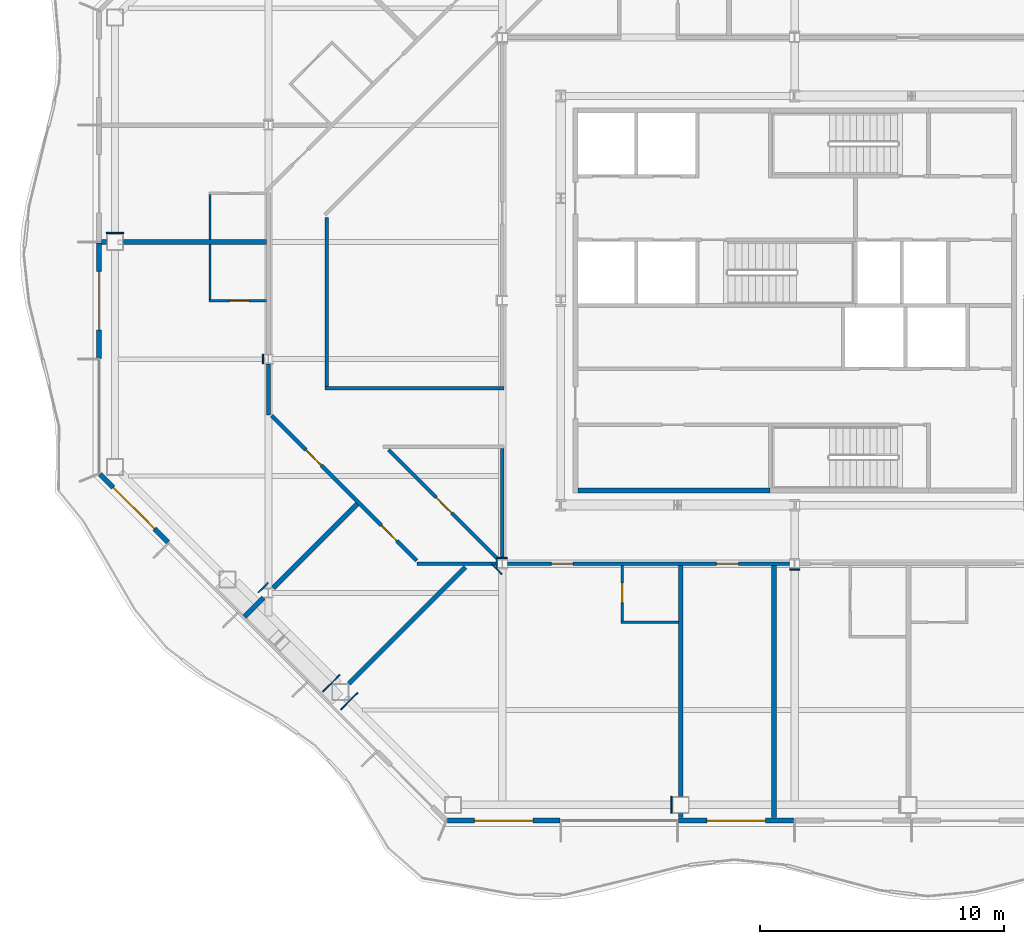
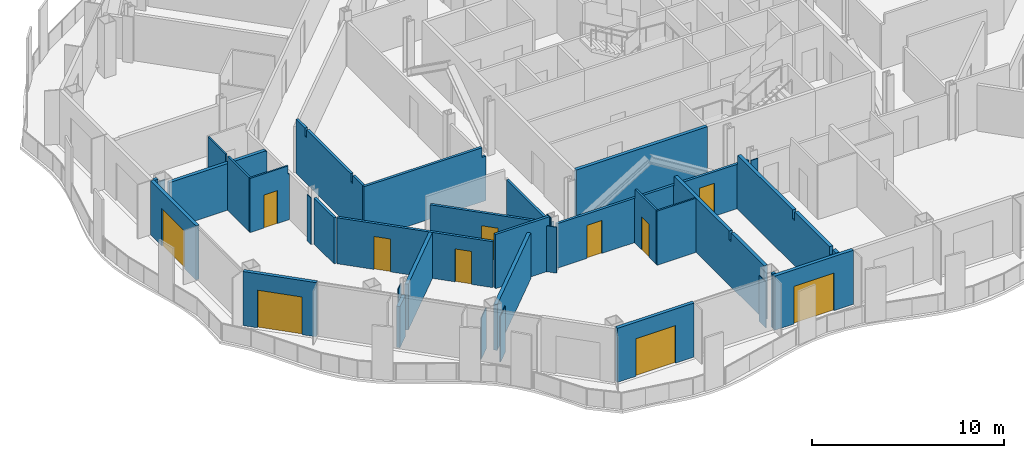
# One storey, part 7 of 21: 36 walls, 11 doors, 11 openings.
"""IFC4 building model written with IfcOpenShell, lengths in metres."""

from ifc_helpers import new_model, si_unit, direction, frame, frame_2d, origin, place, context, subcontext, project, spatial, polyline, rectangle, outline, extrude, material, layer, layer_set, type_object, element, fill, save


model = new_model("IFC4")

# Units and contexts
model_context = context("Model", 3, precision=1e-05, world=origin(), true_north=direction((0.0, 1.0)))
body_context = subcontext(model_context, "Body", "Model", "MODEL_VIEW")
ifc_project = project(units=[si_unit("LENGTHUNIT", "METRE"), si_unit("AREAUNIT", "SQUARE_METRE"), si_unit("VOLUMEUNIT", "CUBIC_METRE"), si_unit("PLANEANGLEUNIT", "RADIAN"), si_unit("MASSUNIT", "GRAM", prefix="KILO")], contexts=[model_context])

# Site, building, storey
site_placement = place(None, origin())
site = spatial("IfcSite", under=ifc_project, at=site_placement, CompositionType="ELEMENT")
building_placement = place(site_placement, origin())
building = spatial("IfcBuilding", under=site, at=building_placement, Name="Cairn Pilgrim Tower", CompositionType="ELEMENT")
storey_placement = place(building_placement, frame((0.0, 0.0, 132.60009765625)))
storey = spatial("IfcBuildingStorey", under=building, at=storey_placement, Name="L32", CompositionType="ELEMENT", Elevation=132.60009765625)

# Wall, opening, door
ifc_material_1 = material(Name="Bronze anodised aluminium insulated sandwich panel with mineral wool fill", Category="aluminium")
ifc_layer_1 = layer(ifc_material_1, 0.199951171875)
ifc_layer_set_1 = layer_set([ifc_layer_1], Name="BRONZE INFILL FRAME WALL 200")
wall_type_1 = type_object("IfcWallType", Name="BRONZE INFILL FRAME WALL 200", PredefinedType="NOTDEFINED", material=ifc_layer_set_1)
wall_1_placement = place(storey_placement, frame((-7.056396484375, -18.949951171875, 0.0), z_axis=(0.0, 0.0, 1.0), x_axis=(1.0, 0.0, 0.0)))
wall_1 = element("IfcWall", 1, at=wall_1_placement, inside=storey, type_object=wall_type_1, Name="Bronze infill frame wall IW-S1", PredefinedType="NOTDEFINED", context=body_context, shape_type="SweptSolid", body=[
    extrude(rectangle(XDim=4.62646484375, YDim=0.199951171875, at=frame_2d((2.313232421875, 0.0))), origin(), (0.0, 0.0, 1.0), 3.449951171875),
])
opening_1_placement = place(wall_1_placement, frame((1.1083984375, 0.0, 0.0)))
opening_1 = element("IfcOpeningElement", 2, at=opening_1_placement, cuts=wall_1, Name="Opening 3216B2", PredefinedType="OPENING", context=body_context, shape_type="SweptSolid", body=[
    extrude(rectangle(XDim=2.39990234375, YDim=2.39990234375, at=frame_2d((1.199951171875, 1.199951171875))), frame((0.0, 0.10986328125, 0.0), z_axis=(0.0, -1.0, 0.0), x_axis=(1.0, 0.0, 0.0)), (0.0, 0.0, 1.0), 0.219970703125),
])
ifc_material_2 = material(Name="Bronze anodised aluminium frame with tinted low-E glass", Category="aluminium")
door_type_1 = type_object("IfcDoorType", Name="BALCONY SLIDING DOOR 2400x2400", OperationType="DOUBLE_DOOR_SLIDING", PredefinedType="DOOR", material=ifc_material_2)
door_1_placement = place(opening_1_placement, origin())
door_1 = element("IfcDoor", 3, at=door_1_placement, inside=storey, type_object=door_type_1, Name="Balcony sliding door 3216B2", OperationType="SINGLE_SWING_LEFT", OverallHeight=2.39990234375, OverallWidth=2.39990234375, PredefinedType="DOOR", context=body_context, shape_type="SweptSolid", body=[
    extrude(rectangle(XDim=2.39990234375, YDim=2.39990234375, at=frame_2d((1.199951171875, 1.199951171875))), frame((0.0, 0.02490234375, 0.0), z_axis=(0.0, -1.0, 0.0), x_axis=(1.0, 0.0, 0.0)), (0.0, 0.0, 1.0), 0.050048828125),
])
fill(opening_1, door_1)

wall_2_placement = place(storey_placement, frame((2.429931640625, -18.949951171875, 0.0), z_axis=(0.0, 0.0, 1.0), x_axis=(1.0, 0.0, 0.0)))
wall_2 = element("IfcWall", 4, at=wall_2_placement, inside=storey, type_object=wall_type_1, Name="Bronze infill frame wall IW-S3", PredefinedType="NOTDEFINED", context=body_context, shape_type="SweptSolid", body=[
    extrude(rectangle(XDim=4.739990234375, YDim=0.199951171875, at=frame_2d((2.3701171875, 0.0))), origin(), (0.0, 0.0, 1.0), 3.449951171875),
])
opening_2_placement = place(wall_2_placement, frame((1.17041015625, 0.0, 0.0)))
opening_2 = element("IfcOpeningElement", 5, at=opening_2_placement, cuts=wall_2, Name="Opening 3217B", PredefinedType="OPENING", context=body_context, shape_type="SweptSolid", body=[
    extrude(rectangle(XDim=2.39990234375, YDim=2.39990234375, at=frame_2d((1.199951171875, 1.199951171875))), frame((0.0, 0.10986328125, 0.0), z_axis=(0.0, -1.0, 0.0), x_axis=(1.0, 0.0, 0.0)), (0.0, 0.0, 1.0), 0.219970703125),
])
door_2_placement = place(opening_2_placement, origin())
door_2 = element("IfcDoor", 6, at=door_2_placement, inside=storey, type_object=door_type_1, Name="Balcony sliding door 3217B", OperationType="SINGLE_SWING_LEFT", OverallHeight=2.39990234375, OverallWidth=2.39990234375, PredefinedType="DOOR", context=body_context, shape_type="SweptSolid", body=[
    extrude(rectangle(XDim=2.39990234375, YDim=2.39990234375, at=frame_2d((1.199951171875, 1.199951171875))), frame((0.0, 0.02490234375, 0.0), z_axis=(0.0, -1.0, 0.0), x_axis=(1.0, 0.0, 0.0)), (0.0, 0.0, 1.0), 0.050048828125),
])
fill(opening_2, door_2)

wall_3_placement = place(storey_placement, frame((-21.35009765625, 4.77001953125, 0.0), z_axis=(0.0, 0.0, 1.0), x_axis=(0.0, -1.0, 0.0)))
wall_3 = element("IfcWall", 7, at=wall_3_placement, inside=storey, type_object=wall_type_1, Name="Bronze infill frame wall IW-W3", PredefinedType="NOTDEFINED", context=body_context, shape_type="SweptSolid", body=[
    extrude(rectangle(XDim=4.739990234375, YDim=0.199951171875, at=frame_2d((2.3701171875, 0.0))), origin(), (0.0, 0.0, 1.0), 3.449951171875),
])
opening_3_placement = place(wall_3_placement, frame((1.169921875, 0.0, 0.0)))
opening_3 = element("IfcOpeningElement", 8, at=opening_3_placement, cuts=wall_3, Name="Opening 3214B", PredefinedType="OPENING", context=body_context, shape_type="SweptSolid", body=[
    extrude(rectangle(XDim=2.39990234375, YDim=2.39990234375, at=frame_2d((1.199951171875, 1.199951171875))), frame((0.0, 0.10986328125, 0.0), z_axis=(0.0, -1.0, 0.0), x_axis=(1.0, 0.0, 0.0)), (0.0, 0.0, 1.0), 0.219970703125),
])
door_3_placement = place(opening_3_placement, origin())
door_3 = element("IfcDoor", 9, at=door_3_placement, inside=storey, type_object=door_type_1, Name="Balcony sliding door 3214B", OperationType="SINGLE_SWING_LEFT", OverallHeight=2.39990234375, OverallWidth=2.39990234375, PredefinedType="DOOR", context=body_context, shape_type="SweptSolid", body=[
    extrude(rectangle(XDim=2.39990234375, YDim=2.39990234375, at=frame_2d((1.199951171875, 1.199951171875))), frame((0.0, 0.02490234375, 0.0), z_axis=(0.0, -1.0, 0.0), x_axis=(1.0, 0.0, 0.0)), (0.0, 0.0, 1.0), 0.050048828125),
])
fill(opening_3, door_3)

wall_4_placement = place(storey_placement, frame((-21.32177734375, -4.724609375, 0.0), z_axis=(0.0, 0.0, 1.0), x_axis=(0.707106781187, -0.707106781187, 0.0)))
wall_4 = element("IfcWall", 10, at=wall_4_placement, inside=storey, type_object=wall_type_1, Name="Bronze infill frame wall IW-SW1", PredefinedType="NOTDEFINED", context=body_context, shape_type="SweptSolid", body=[
    extrude(rectangle(XDim=3.961669921875, YDim=0.199951171875, at=frame_2d((1.98095703125, 0.0))), origin(), (0.0, 0.0, 1.0), 3.449951171875),
])
opening_4_placement = place(wall_4_placement, frame((0.775390625, 0.0, 0.0)))
opening_4 = element("IfcOpeningElement", 11, at=opening_4_placement, cuts=wall_4, Name="Opening 3214B2", PredefinedType="OPENING", context=body_context, shape_type="SweptSolid", body=[
    extrude(rectangle(XDim=2.39990234375, YDim=2.39990234375, at=frame_2d((1.199951171875, 1.199951171875))), frame((0.0, 0.10986328125, 0.0), z_axis=(0.0, -1.0, 0.0), x_axis=(1.0, 0.0, 0.0)), (0.0, 0.0, 1.0), 0.219970703125),
])
door_4_placement = place(opening_4_placement, origin())
door_4 = element("IfcDoor", 12, at=door_4_placement, inside=storey, type_object=door_type_1, Name="Balcony sliding door 3214B2", OperationType="SINGLE_SWING_LEFT", OverallHeight=2.39990234375, OverallWidth=2.39990234375, PredefinedType="DOOR", context=body_context, shape_type="SweptSolid", body=[
    extrude(rectangle(XDim=2.39990234375, YDim=2.39990234375, at=frame_2d((1.199951171875, 1.199951171875))), frame((0.0, 0.02490234375, 0.0), z_axis=(0.0, -1.0, 0.0), x_axis=(1.0, 0.0, 0.0)), (0.0, 0.0, 1.0), 0.050048828125),
])
fill(opening_4, door_4)

# Walls
ifc_material_3 = material(Name="Concrete C32/40", Category="concrete")
ifc_layer_2 = layer(ifc_material_3, 0.199951171875)
ifc_layer_set_2 = layer_set([ifc_layer_2], Name="CORE OUTER WALL 200 EI 120")
wall_type_2 = type_object("IfcWallType", Name="CORE OUTER WALL 200 EI 120", PredefinedType="SOLIDWALL", material=ifc_layer_set_2)
wall_5_placement = place(storey_placement, frame((-1.699951171875, -5.39990234375, 0.0), z_axis=(0.0, 0.0, 1.0), x_axis=(1.0, 0.0, 0.0)))
element("IfcWall", 13, at=wall_5_placement, inside=storey, type_object=wall_type_2, Name="CW:L32:H01-1", PredefinedType="SOLIDWALL", context=body_context, shape_type="SweptSolid", body=[
    extrude(rectangle(XDim=7.89990234375, YDim=0.199951171875, at=frame_2d((3.949951171875, 0.0))), origin(), (0.0, 0.0, 1.0), 3.449951171875),
])
ifc_material_4 = material(Name="Gypsum partition")
ifc_layer_3 = layer(ifc_material_4, 0.10009765625)
ifc_layer_set_3 = layer_set([ifc_layer_3], Name="PARTITION 100 DRYWALL")
wall_type_3 = type_object("IfcWallType", Name="PARTITION 100 DRYWALL", PredefinedType="PARTITIONING", material=ifc_layer_set_3)
wall_6_placement = place(storey_placement, frame((0.073974609375, -10.800048828125, 0.0), z_axis=(0.0, 0.0, 1.0), x_axis=(1.0, 0.0, 0.0)))
element("IfcWall", 14, at=wall_6_placement, inside=storey, type_object=wall_type_3, Name="PARTITION W010", PredefinedType="PARTITIONING", context=body_context, shape_type="SweptSolid", body=[
    extrude(rectangle(XDim=2.35009765625, YDim=0.10009765625, at=frame_2d((1.175048828125, 0.0))), origin(), (0.0, 0.0, 1.0), 3.449951171875),
])

# Wall, opening, door
wall_7_placement = place(storey_placement, frame((0.1240234375, -10.75, 0.0), z_axis=(0.0, 0.0, 1.0), x_axis=(0.0, 1.0, 0.0)))
wall_7 = element("IfcWall", 15, at=wall_7_placement, inside=storey, type_object=wall_type_3, Name="PARTITION W011", PredefinedType="PARTITIONING", context=body_context, shape_type="SweptSolid", body=[
    extrude(outline(polyline([(0.0, 0.0), (2.27490234375, 0.0), (2.27490234375, 2.829833984375), (2.199951171875, 2.829833984375), (2.197998046875, 3.449951171875), (0.0, 3.449951171875), (0.0, 0.0)])), frame((0.0, 0.050048828125, 0.0), z_axis=(0.0, -1.0, 0.0), x_axis=(1.0, 0.0, 0.0)), (0.0, 0.0, 1.0), 0.10009765625),
])
opening_5_placement = place(wall_7_placement, frame((0.75, 0.0, 0.0)))
opening_5 = element("IfcOpeningElement", 16, at=opening_5_placement, cuts=wall_7, Name="Opening 3216A", PredefinedType="OPENING", context=body_context, shape_type="SweptSolid", body=[
    extrude(rectangle(XDim=0.800048828125, YDim=2.10009765625, at=frame_2d((0.39990234375, 1.050048828125))), frame((0.0, 0.06005859375, 0.0), z_axis=(0.0, -1.0, 0.0), x_axis=(1.0, 0.0, 0.0)), (0.0, 0.0, 1.0), 0.1201171875),
])
ifc_material_5 = material(Name="Timber door leaf", Category="wood")
door_type_2 = type_object("IfcDoorType", Name="WC DOOR 800x2100", OperationType="NOTDEFINED", PredefinedType="DOOR", material=ifc_material_5)
door_5_placement = place(opening_5_placement, origin())
door_5 = element("IfcDoor", 17, at=door_5_placement, inside=storey, type_object=door_type_2, Name="DOOR 3216A", OperationType="SINGLE_SWING_RIGHT", OverallHeight=2.10009765625, OverallWidth=0.800048828125, PredefinedType="DOOR", context=body_context, shape_type="SweptSolid", body=[
    extrude(rectangle(XDim=0.800048828125, YDim=2.10009765625, at=frame_2d((0.39990234375, 1.050048828125))), frame((0.0, 0.02490234375, 0.0), z_axis=(0.0, -1.0, 0.0), x_axis=(1.0, 0.0, 0.0)), (0.0, 0.0, 1.0), 0.050048828125),
])
fill(opening_5, door_5)

wall_8_placement = place(storey_placement, frame((-16.85009765625, 2.39990234375, 0.0), z_axis=(0.0, 0.0, 1.0), x_axis=(1.0, 0.0, 0.0)))
wall_8 = element("IfcWall", 18, at=wall_8_placement, inside=storey, type_object=wall_type_3, Name="PARTITION W044", PredefinedType="PARTITIONING", context=body_context, shape_type="SweptSolid", body=[
    extrude(outline(polyline([(0.0, 0.0), (2.375, 0.0), (2.375, 2.929931640625), (2.300048828125, 2.929931640625), (2.298095703125, 3.449951171875), (0.0, 3.449951171875), (0.0, 0.0)])), frame((0.0, 0.050048828125, 0.0), z_axis=(0.0, -1.0, 0.0), x_axis=(1.0, 0.0, 0.0)), (0.0, 0.0, 1.0), 0.10009765625),
])
opening_6_placement = place(wall_8_placement, frame((0.85009765625, 0.0, 0.0)))
opening_6 = element("IfcOpeningElement", 19, at=opening_6_placement, cuts=wall_8, Name="Opening 3214A", PredefinedType="OPENING", context=body_context, shape_type="SweptSolid", body=[
    extrude(rectangle(XDim=0.800048828125, YDim=2.10009765625, at=frame_2d((0.39990234375, 1.050048828125))), frame((0.0, 0.06005859375, 0.0), z_axis=(0.0, -1.0, 0.0), x_axis=(1.0, 0.0, 0.0)), (0.0, 0.0, 1.0), 0.1201171875),
])
door_6_placement = place(opening_6_placement, frame((0.800048828125, 0.0, 0.0), z_axis=(0.0, 0.0, 1.0), x_axis=(-1.0, 0.0, 0.0)))
door_6 = element("IfcDoor", 20, at=door_6_placement, inside=storey, type_object=door_type_2, Name="DOOR 3214A", OperationType="SINGLE_SWING_RIGHT", OverallHeight=2.10009765625, OverallWidth=0.800048828125, PredefinedType="DOOR", context=body_context, shape_type="SweptSolid", body=[
    extrude(rectangle(XDim=0.800048828125, YDim=2.10009765625, at=frame_2d((0.39990234375, 1.050048828125))), frame((0.0, 0.02490234375, 0.0), z_axis=(0.0, -1.0, 0.0), x_axis=(1.0, 0.0, 0.0)), (0.0, 0.0, 1.0), 0.050048828125),
])
fill(opening_6, door_6)

# Walls
wall_9_placement = place(storey_placement, frame((-16.800048828125, 2.449951171875, 0.0), z_axis=(0.0, 0.0, 1.0), x_axis=(0.0, 1.0, 0.0)))
element("IfcWall", 21, at=wall_9_placement, inside=storey, type_object=wall_type_3, Name="PARTITION W045", PredefinedType="PARTITIONING", context=body_context, shape_type="SweptSolid", body=[
    extrude(rectangle(XDim=2.25, YDim=0.10009765625, at=frame_2d((1.125, 0.0))), origin(), (0.0, 0.0, 1.0), 3.449951171875),
])
wall_10_placement = place(storey_placement, frame((-16.800048828125, 4.89990234375, 0.0), z_axis=(0.0, 0.0, 1.0), x_axis=(0.0, 1.0, 0.0)))
element("IfcWall", 22, at=wall_10_placement, inside=storey, type_object=wall_type_3, Name="PARTITION W055", PredefinedType="PARTITIONING", context=body_context, shape_type="SweptSolid", body=[
    extrude(rectangle(XDim=1.85009765625, YDim=0.10009765625, at=frame_2d((0.925048828125, 0.0))), origin(), (0.0, 0.0, 1.0), 3.449951171875),
])
ifc_layer_4 = layer(ifc_material_4, 0.14990234375)
ifc_layer_set_4 = layer_set([ifc_layer_4], Name="PARTITION 150 DRYWALL EI 60")
wall_type_4 = type_object("IfcWallType", Name="PARTITION 150 DRYWALL EI 60", PredefinedType="PARTITIONING", material=ifc_layer_set_4)
wall_11_placement = place(storey_placement, frame((-8.300048828125, -8.39990234375, 0.0), z_axis=(0.0, 0.0, 1.0), x_axis=(1.0, 0.0, 0.0)))
element("IfcWall", 23, at=wall_11_placement, inside=storey, type_object=wall_type_4, Name="PARTITION W017", PredefinedType="PARTITIONING", context=body_context, shape_type="SweptSolid", body=[
    extrude(rectangle(XDim=3.295654296875, YDim=0.14990234375, at=frame_2d((1.64794921875, 0.0))), origin(), (0.0, 0.0, 1.0), 3.449951171875),
])

# Wall, openings, doors
wall_12_placement = place(storey_placement, frame((-4.595458984375, -8.39990234375, 0.0), z_axis=(0.0, 0.0, 1.0), x_axis=(1.0, 0.0, 0.0)))
wall_12 = element("IfcWall", 24, at=wall_12_placement, inside=storey, type_object=wall_type_4, Name="PARTITION W018", PredefinedType="PARTITIONING", context=body_context, shape_type="SweptSolid", body=[
    extrude(rectangle(XDim=11.591064453125, YDim=0.14990234375, at=frame_2d((5.79541015625, 0.0))), origin(), (0.0, 0.0, 1.0), 2.829833984375),
])
opening_7_placement = place(wall_12_placement, frame((1.807373046875, 0.0, 0.0)))
opening_7 = element("IfcOpeningElement", 25, at=opening_7_placement, cuts=wall_12, Name="Opening 3216", PredefinedType="OPENING", context=body_context, shape_type="SweptSolid", body=[
    extrude(rectangle(XDim=0.89990234375, YDim=2.10009765625, at=frame_2d((0.449951171875, 1.050048828125))), frame((0.0, 0.0849609375, 0.0), z_axis=(0.0, -1.0, 0.0), x_axis=(1.0, 0.0, 0.0)), (0.0, 0.0, 1.0), 0.169921875),
])
opening_8_placement = place(wall_12_placement, frame((8.58642578125, 0.0, 0.0)))
opening_8 = element("IfcOpeningElement", 26, at=opening_8_placement, cuts=wall_12, Name="Opening 3217", PredefinedType="OPENING", context=body_context, shape_type="SweptSolid", body=[
    extrude(rectangle(XDim=0.89990234375, YDim=2.10009765625, at=frame_2d((0.449951171875, 1.050048828125))), frame((0.0, 0.0849609375, 0.0), z_axis=(0.0, -1.0, 0.0), x_axis=(1.0, 0.0, 0.0)), (0.0, 0.0, 1.0), 0.169921875),
])
door_type_3 = type_object("IfcDoorType", Name="ROOM DOOR 900x2100 FD30S", OperationType="NOTDEFINED", PredefinedType="DOOR", material=ifc_material_5)
door_7_placement = place(opening_7_placement, frame((0.89990234375, 0.0, 0.0), z_axis=(0.0, 0.0, 1.0), x_axis=(-1.0, 0.0, 0.0)))
door_7 = element("IfcDoor", 27, at=door_7_placement, inside=storey, type_object=door_type_3, Name="DOOR 3216", OperationType="SINGLE_SWING_RIGHT", OverallHeight=2.10009765625, OverallWidth=0.89990234375, PredefinedType="DOOR", context=body_context, shape_type="SweptSolid", body=[
    extrude(rectangle(XDim=0.89990234375, YDim=2.10009765625, at=frame_2d((0.449951171875, 1.050048828125))), frame((0.0, 0.02490234375, 0.0), z_axis=(0.0, -1.0, 0.0), x_axis=(1.0, 0.0, 0.0)), (0.0, 0.0, 1.0), 0.050048828125),
])
fill(opening_7, door_7)
door_8_placement = place(opening_8_placement, frame((0.89990234375, 0.0, 0.0), z_axis=(0.0, 0.0, 1.0), x_axis=(-1.0, 0.0, 0.0)))
door_8 = element("IfcDoor", 28, at=door_8_placement, inside=storey, type_object=door_type_3, Name="DOOR 3217", OperationType="SINGLE_SWING_RIGHT", OverallHeight=2.10009765625, OverallWidth=0.89990234375, PredefinedType="DOOR", context=body_context, shape_type="SweptSolid", body=[
    extrude(rectangle(XDim=0.89990234375, YDim=2.10009765625, at=frame_2d((0.449951171875, 1.050048828125))), frame((0.0, 0.02490234375, 0.0), z_axis=(0.0, -1.0, 0.0), x_axis=(1.0, 0.0, 0.0)), (0.0, 0.0, 1.0), 0.050048828125),
])
fill(opening_8, door_8)

wall_13_placement = place(storey_placement, frame((-8.322021484375, -8.27197265625, 0.0), z_axis=(0.0, 0.0, 1.0), x_axis=(-0.707106781187, 0.707106781187, 0.0)))
wall_13 = element("IfcWall", 29, at=wall_13_placement, inside=storey, type_object=wall_type_4, Name="PARTITION W021", PredefinedType="PARTITIONING", context=body_context, shape_type="SweptSolid", body=[
    extrude(rectangle(XDim=8.41455078125, YDim=0.14990234375, at=frame_2d((4.207275390625, 0.0))), origin(), (0.0, 0.0, 1.0), 2.929931640625),
])
opening_9_placement = place(wall_13_placement, frame((5.526611328125, 0.0, 0.0)))
opening_9 = element("IfcOpeningElement", 30, at=opening_9_placement, cuts=wall_13, Name="Opening 3214", PredefinedType="OPENING", context=body_context, shape_type="SweptSolid", body=[
    extrude(rectangle(XDim=0.89990234375, YDim=2.10009765625, at=frame_2d((0.449951171875, 1.050048828125))), frame((0.0, 0.0849609375, 0.0), z_axis=(0.0, -1.0, 0.0), x_axis=(1.0, 0.0, 0.0)), (0.0, 0.0, 1.0), 0.169921875),
])
opening_10_placement = place(wall_13_placement, frame((1.138916015625, 0.0, 0.0)))
opening_10 = element("IfcOpeningElement", 31, at=opening_10_placement, cuts=wall_13, Name="Opening 3215", PredefinedType="OPENING", context=body_context, shape_type="SweptSolid", body=[
    extrude(rectangle(XDim=0.89990234375, YDim=2.10009765625, at=frame_2d((0.449951171875, 1.050048828125))), frame((0.0, 0.0849609375, 0.0), z_axis=(0.0, -1.0, 0.0), x_axis=(1.0, 0.0, 0.0)), (0.0, 0.0, 1.0), 0.169921875),
])
door_9_placement = place(opening_9_placement, origin())
door_9 = element("IfcDoor", 32, at=door_9_placement, inside=storey, type_object=door_type_3, Name="DOOR 3214", OperationType="SINGLE_SWING_RIGHT", OverallHeight=2.10009765625, OverallWidth=0.89990234375, PredefinedType="DOOR", context=body_context, shape_type="SweptSolid", body=[
    extrude(rectangle(XDim=0.89990234375, YDim=2.10009765625, at=frame_2d((0.449951171875, 1.050048828125))), frame((0.0, 0.02490234375, 0.0), z_axis=(0.0, -1.0, 0.0), x_axis=(1.0, 0.0, 0.0)), (0.0, 0.0, 1.0), 0.050048828125),
])
fill(opening_9, door_9)
door_type_4 = type_object("IfcDoorType", Name="SERVICE DOOR 900x2100 FD30S", OperationType="NOTDEFINED", PredefinedType="DOOR", material=ifc_material_5)
door_10_placement = place(opening_10_placement, origin())
door_10 = element("IfcDoor", 33, at=door_10_placement, inside=storey, type_object=door_type_4, Name="DOOR 3215", OperationType="SINGLE_SWING_RIGHT", OverallHeight=2.10009765625, OverallWidth=0.89990234375, PredefinedType="DOOR", context=body_context, shape_type="SweptSolid", body=[
    extrude(rectangle(XDim=0.89990234375, YDim=2.10009765625, at=frame_2d((0.449951171875, 1.050048828125))), frame((0.0, 0.02490234375, 0.0), z_axis=(0.0, -1.0, 0.0), x_axis=(1.0, 0.0, 0.0)), (0.0, 0.0, 1.0), 0.050048828125),
])
fill(opening_10, door_10)

# Wall, opening, door
wall_14_placement = place(storey_placement, frame((-5.008544921875, -8.19140625, 0.0), z_axis=(0.0, 0.0, 1.0), x_axis=(-0.707106781187, 0.707106781187, 0.0)))
wall_14 = element("IfcWall", 34, at=wall_14_placement, inside=storey, type_object=wall_type_4, Name="PARTITION W023", PredefinedType="PARTITIONING", context=body_context, shape_type="SweptSolid", body=[
    extrude(rectangle(XDim=6.312255859375, YDim=0.14990234375, at=frame_2d((3.15625, 0.0))), origin(), (0.0, 0.0, 1.0), 2.929931640625),
])
opening_11_placement = place(wall_14_placement, frame((2.6494140625, 0.0, 0.0)))
opening_11 = element("IfcOpeningElement", 35, at=opening_11_placement, cuts=wall_14, Name="Opening 3225", PredefinedType="OPENING", context=body_context, shape_type="SweptSolid", body=[
    extrude(rectangle(XDim=0.89990234375, YDim=2.10009765625, at=frame_2d((0.449951171875, 1.050048828125))), frame((0.0, 0.0849609375, 0.0), z_axis=(0.0, -1.0, 0.0), x_axis=(1.0, 0.0, 0.0)), (0.0, 0.0, 1.0), 0.169921875),
])
door_11_placement = place(opening_11_placement, frame((0.89990234375, 0.0, 0.0), z_axis=(0.0, 0.0, 1.0), x_axis=(-1.0, 0.0, 0.0)))
door_11 = element("IfcDoor", 36, at=door_11_placement, inside=storey, type_object=door_type_4, Name="DOOR 3225", OperationType="SINGLE_SWING_LEFT", OverallHeight=2.10009765625, OverallWidth=0.89990234375, PredefinedType="DOOR", context=body_context, shape_type="SweptSolid", body=[
    extrude(rectangle(XDim=0.89990234375, YDim=2.10009765625, at=frame_2d((0.449951171875, 1.050048828125))), frame((0.0, 0.02490234375, 0.0), z_axis=(0.0, -1.0, 0.0), x_axis=(1.0, 0.0, 0.0)), (0.0, 0.0, 1.0), 0.050048828125),
])
fill(opening_11, door_11)

# Walls
wall_15_placement = place(storey_placement, frame((-4.800048828125, -8.1875, 0.0), z_axis=(0.0, 0.0, 1.0), x_axis=(0.0, 1.0, 0.0)))
element("IfcWall", 37, at=wall_15_placement, inside=storey, type_object=wall_type_4, Name="PARTITION W024", PredefinedType="PARTITIONING", context=body_context, shape_type="SweptSolid", body=[
    extrude(rectangle(XDim=4.512451171875, YDim=0.14990234375, at=frame_2d((2.25634765625, 0.0))), origin(), (0.0, 0.0, 1.0), 2.829833984375),
])
wall_16_placement = place(storey_placement, frame((-14.39990234375, -2.300048828125, 0.0), z_axis=(0.0, 0.0, 1.0), x_axis=(0.0, 1.0, 0.0)))
element("IfcWall", 38, at=wall_16_placement, inside=storey, type_object=wall_type_4, Name="PARTITION W031", PredefinedType="PARTITIONING", context=body_context, shape_type="SweptSolid", body=[
    extrude(rectangle(XDim=2.103515625, YDim=0.14990234375, at=frame_2d((1.0517578125, 0.0))), origin(), (0.0, 0.0, 1.0), 2.929931640625),
])
wall_17_placement = place(storey_placement, frame((-12.074951171875, -1.199951171875, 0.0), z_axis=(0.0, 0.0, 1.0), x_axis=(1.0, 0.0, 0.0)))
element("IfcWall", 39, at=wall_17_placement, inside=storey, type_object=wall_type_4, Name="PARTITION W032", PredefinedType="PARTITIONING", context=body_context, shape_type="SweptSolid", body=[
    extrude(outline(polyline([(0.0, 0.0), (7.349853515625, 0.0), (7.35009765625, 2.829833984375), (7.125, 2.829833984375), (7.123046875, 3.449951171875), (0.0, 3.449951171875), (0.0, 0.0)])), frame((0.0, 0.074951171875, 0.0), z_axis=(0.0, -1.0, 0.0), x_axis=(1.0, 0.0, 0.0)), (0.0, 0.0, 1.0), 0.14990234375),
])
wall_18_placement = place(storey_placement, frame((-12.0, -1.125, 0.0), z_axis=(0.0, 0.0, 1.0), x_axis=(0.0, 1.0, 0.0)))
element("IfcWall", 40, at=wall_18_placement, inside=storey, type_object=wall_type_4, Name="PARTITION W034", PredefinedType="PARTITIONING", context=body_context, shape_type="SweptSolid", body=[
    extrude(outline(polyline([(0.0, 0.0), (6.94384765625, 0.0), (6.94384765625, 3.449951171875), (6.02490234375, 3.449951171875), (6.02294921875, 2.929931640625), (5.824951171875, 2.929931640625), (5.822998046875, 3.449951171875), (1.22509765625, 3.449951171875), (1.222900390625, 2.929931640625), (1.02490234375, 2.929931640625), (1.02294921875, 3.449951171875), (0.0, 3.449951171875), (0.0, 0.0)])), frame((0.0, 0.074951171875, 0.0), z_axis=(0.0, -1.0, 0.0), x_axis=(1.0, 0.0, 0.0)), (0.0, 0.0, 1.0), 0.14990234375),
])
ifc_layer_5 = layer(ifc_material_4, 0.050048828125)
ifc_layer_set_5 = layer_set([ifc_layer_5], Name="PARTITION 50 DRYWALL EI 60")
wall_type_5 = type_object("IfcWallType", Name="PARTITION 50 DRYWALL EI 60", PredefinedType="PARTITIONING", material=ifc_layer_set_5)
wall_19_placement = place(storey_placement, frame((2.1494140625, -18.64990234375, 0.0), z_axis=(0.0, 0.0, 1.0), x_axis=(0.0, 1.0, 0.0)))
element("IfcWall", 41, at=wall_19_placement, inside=storey, type_object=wall_type_5, Name="COLUMN CASING WC01", PredefinedType="PARTITIONING", context=body_context, shape_type="SweptSolid", body=[
    extrude(rectangle(XDim=0.699951171875, YDim=0.050048828125, at=frame_2d((0.35009765625, 0.0))), origin(), (0.0, 0.0, 1.0), 2.929931640625),
])
wall_20_placement = place(storey_placement, frame((-12.169189453125, -13.657958984375, 0.0), z_axis=(0.0, 0.0, 1.0), x_axis=(0.707106781187, 0.707106781187, 0.0)))
element("IfcWall", 42, at=wall_20_placement, inside=storey, type_object=wall_type_5, Name="COLUMN CASING WC03", PredefinedType="PARTITIONING", context=body_context, shape_type="SweptSolid", body=[
    extrude(rectangle(XDim=0.989990234375, YDim=0.050048828125, at=frame_2d((0.4951171875, 0.0))), origin(), (0.0, 0.0, 1.0), 2.6298828125),
])
wall_21_placement = place(storey_placement, frame((-11.433837890625, -14.393310546875, 0.0), z_axis=(0.0, 0.0, 1.0), x_axis=(0.707106781187, 0.707106781187, 0.0)))
element("IfcWall", 43, at=wall_21_placement, inside=storey, type_object=wall_type_5, Name="COLUMN CASING WC04", PredefinedType="PARTITIONING", context=body_context, shape_type="SweptSolid", body=[
    extrude(rectangle(XDim=0.989990234375, YDim=0.050048828125, at=frame_2d((0.4951171875, 0.0))), origin(), (0.0, 0.0, 1.0), 2.929931640625),
])
wall_22_placement = place(storey_placement, frame((-14.813720703125, -9.582275390625, 0.0), z_axis=(0.0, 0.0, 1.0), x_axis=(0.707106781187, 0.707106781187, 0.0)))
element("IfcWall", 44, at=wall_22_placement, inside=storey, type_object=wall_type_5, Name="COLUMN CASING WC07", PredefinedType="PARTITIONING", context=body_context, shape_type="SweptSolid", body=[
    extrude(rectangle(XDim=0.56005859375, YDim=0.050048828125, at=frame_2d((0.280029296875, 0.0))), origin(), (0.0, 0.0, 1.0), 2.929931640625),
])
wall_23_placement = place(storey_placement, frame((-5.00439453125, -8.16259765625, 0.0), z_axis=(0.0, 0.0, 1.0), x_axis=(1.0, 0.0, 0.0)))
element("IfcWall", 45, at=wall_23_placement, inside=storey, type_object=wall_type_5, Name="COLUMN CASING WC10", PredefinedType="PARTITIONING", context=body_context, shape_type="SweptSolid", body=[
    extrude(rectangle(XDim=0.408935546875, YDim=0.050048828125, at=frame_2d((0.20458984375, 0.0))), origin(), (0.0, 0.0, 1.0), 2.829833984375),
])
wall_24_placement = place(storey_placement, frame((6.99560546875, -8.637451171875, 0.0), z_axis=(0.0, 0.0, 1.0), x_axis=(1.0, 0.0, 0.0)))
element("IfcWall", 46, at=wall_24_placement, inside=storey, type_object=wall_type_5, Name="COLUMN CASING WC11", PredefinedType="PARTITIONING", context=body_context, shape_type="SweptSolid", body=[
    extrude(rectangle(XDim=0.408935546875, YDim=0.050048828125, at=frame_2d((0.20458984375, 0.0))), origin(), (0.0, 0.0, 1.0), 2.929931640625),
])
wall_25_placement = place(storey_placement, frame((-4.817626953125, -8.834716796875, 0.0), z_axis=(0.0, 0.0, 1.0), x_axis=(-0.707106781187, 0.707106781187, 0.0)))
element("IfcWall", 47, at=wall_25_placement, inside=storey, type_object=wall_type_5, Name="COLUMN CASING WC13", PredefinedType="PARTITIONING", context=body_context, shape_type="SweptSolid", body=[
    extrude(rectangle(XDim=0.589599609375, YDim=0.050048828125, at=frame_2d((0.294921875, 0.0))), origin(), (0.0, 0.0, 1.0), 2.929931640625),
])
wall_26_placement = place(storey_placement, frame((-5.029541015625, -8.612548828125, 0.0), z_axis=(0.0, 0.0, 1.0), x_axis=(0.0, 1.0, 0.0)))
element("IfcWall", 48, at=wall_26_placement, inside=storey, type_object=wall_type_5, Name="COLUMN CASING WC14", PredefinedType="PARTITIONING", context=body_context, shape_type="SweptSolid", body=[
    extrude(rectangle(XDim=0.425048828125, YDim=0.050048828125, at=frame_2d((0.21240234375, 0.0))), origin(), (0.0, 0.0, 1.0), 3.449951171875),
])
wall_27_placement = place(storey_placement, frame((-14.62451171875, -0.196533203125, 0.0), z_axis=(0.0, 0.0, 1.0), x_axis=(0.0, 1.0, 0.0)))
element("IfcWall", 49, at=wall_27_placement, inside=storey, type_object=wall_type_5, Name="COLUMN CASING WC18", PredefinedType="PARTITIONING", context=body_context, shape_type="SweptSolid", body=[
    extrude(rectangle(XDim=0.39306640625, YDim=0.050048828125, at=frame_2d((0.196533203125, 0.0))), origin(), (0.0, 0.0, 1.0), 2.97998046875),
])
wall_28_placement = place(storey_placement, frame((-21.050048828125, 5.175048828125, 0.0), z_axis=(0.0, 0.0, 1.0), x_axis=(1.0, 0.0, 0.0)))
element("IfcWall", 50, at=wall_28_placement, inside=storey, type_object=wall_type_5, Name="COLUMN CASING WC25", PredefinedType="PARTITIONING", context=body_context, shape_type="SweptSolid", body=[
    extrude(rectangle(XDim=0.699951171875, YDim=0.050048828125, at=frame_2d((0.35009765625, 0.0))), origin(), (0.0, 0.0, 1.0), 2.929931640625),
])
ifc_layer_6 = layer(ifc_material_4, 0.199951171875)
ifc_layer_set_6 = layer_set([ifc_layer_6], Name="SHAFT WALL 200 GYPSUM EI 60")
wall_type_6 = type_object("IfcWallType", Name="SHAFT WALL 200 GYPSUM EI 60", PredefinedType="PARTITIONING", material=ifc_layer_set_6)
wall_29_placement = place(storey_placement, frame((2.52392578125, -18.820068359375, 0.0), z_axis=(0.0, 0.0, 1.0), x_axis=(0.0, 1.0, 0.0)))
element("IfcWall", 51, at=wall_29_placement, inside=storey, type_object=wall_type_6, Name="PARTITION W001", PredefinedType="PARTITIONING", context=body_context, shape_type="SweptSolid", body=[
    extrude(rectangle(XDim=0.170166015625, YDim=0.199951171875, at=frame_2d((0.0849609375, 0.0))), origin(), (0.0, 0.0, 1.0), 3.449951171875),
])
wall_30_placement = place(storey_placement, frame((6.35791015625, -18.820068359375, 0.0), z_axis=(0.0, 0.0, 1.0), x_axis=(0.0, 1.0, 0.0)))
element("IfcWall", 52, at=wall_30_placement, inside=storey, type_object=wall_type_6, Name="PARTITION W002", PredefinedType="PARTITIONING", context=body_context, shape_type="SweptSolid", body=[
    extrude(outline(polyline([(0.0, 0.0), (10.344970703125, 0.0), (10.344970703125, 2.829833984375), (10.27001953125, 2.829833984375), (10.26806640625, 3.449951171875), (4.52490234375, 3.449951171875), (4.52294921875, 2.8798828125), (4.31494140625, 2.8798828125), (4.31298828125, 3.449951171875), (0.669921875, 3.449951171875), (0.66796875, 2.929931640625), (0.3701171875, 2.929931640625), (0.367919921875, 3.449951171875), (0.0, 3.449951171875), (0.0, 0.0)])), frame((0.0, 0.10009765625, 0.0), z_axis=(0.0, -1.0, 0.0), x_axis=(1.0, 0.0, 0.0)), (0.0, 0.0, 1.0), 0.199951171875),
])
wall_31_placement = place(storey_placement, frame((2.52392578125, -17.949951171875, 0.0), z_axis=(0.0, 0.0, 1.0), x_axis=(0.0, 1.0, 0.0)))
element("IfcWall", 53, at=wall_31_placement, inside=storey, type_object=wall_type_6, Name="PARTITION W004", PredefinedType="PARTITIONING", context=body_context, shape_type="SweptSolid", body=[
    extrude(outline(polyline([(0.0, 0.0), (9.474853515625, 0.0), (9.47509765625, 2.829833984375), (9.39990234375, 2.829833984375), (9.39794921875, 3.449951171875), (3.655029296875, 3.449951171875), (3.653076171875, 2.8798828125), (3.445068359375, 2.8798828125), (3.443115234375, 3.449951171875), (0.0, 3.449951171875), (0.0, 0.0)])), frame((0.0, 0.10009765625, 0.0), z_axis=(0.0, -1.0, 0.0), x_axis=(1.0, 0.0, 0.0)), (0.0, 0.0, 1.0), 0.199951171875),
])
wall_32_placement = place(storey_placement, frame((-11.1015625, -13.32568359375, 0.0), z_axis=(0.0, 0.0, 1.0), x_axis=(0.707088722709, 0.707124839203, 0.0)))
element("IfcWall", 54, at=wall_32_placement, inside=storey, type_object=wall_type_6, Name="PARTITION W006", PredefinedType="PARTITIONING", context=body_context, shape_type="SweptSolid", body=[
    extrude(rectangle(XDim=6.759765625, YDim=0.199951171875, at=frame_2d((3.3798828125, 0.0))), origin(), (0.0, 0.0, 1.0), 2.929931640625),
])
wall_33_placement = place(storey_placement, frame((-15.380859375, -10.580810546875, 0.0), z_axis=(0.0, 0.0, 1.0), x_axis=(0.707217034054, 0.706996511125, 0.0)))
element("IfcWall", 55, at=wall_33_placement, inside=storey, type_object=wall_type_6, Name="PARTITION W014", PredefinedType="PARTITIONING", context=body_context, shape_type="SweptSolid", body=[
    extrude(rectangle(XDim=1.107177734375, YDim=0.199951171875, at=frame_2d((0.5537109375, 0.0))), origin(), (0.0, 0.0, 1.0), 2.6298828125),
])
wall_34_placement = place(storey_placement, frame((-14.201904296875, -9.402099609375, 0.0), z_axis=(0.0, 0.0, 1.0), x_axis=(0.707081776084, 0.707131785404, 0.0)))
element("IfcWall", 56, at=wall_34_placement, inside=storey, type_object=wall_type_6, Name="PARTITION W015", PredefinedType="PARTITIONING", context=body_context, shape_type="SweptSolid", body=[
    extrude(rectangle(XDim=4.8818359375, YDim=0.199951171875, at=frame_2d((2.44091796875, 0.0))), origin(), (0.0, 0.0, 1.0), 2.929931640625),
])
wall_35_placement = place(storey_placement, frame((-21.25, 4.800048828125, 0.0), z_axis=(0.0, 0.0, 1.0), x_axis=(1.0, 0.0, 0.0)))
element("IfcWall", 57, at=wall_35_placement, inside=storey, type_object=wall_type_6, Name="PARTITION W051", PredefinedType="PARTITIONING", context=body_context, shape_type="SweptSolid", body=[
    extrude(rectangle(XDim=0.199951171875, YDim=0.199951171875, at=frame_2d((0.10009765625, 0.0))), origin(), (0.0, 0.0, 1.0), 3.449951171875),
])
wall_36_placement = place(storey_placement, frame((-20.35009765625, 4.800048828125, 0.0), z_axis=(0.0, 0.0, 1.0), x_axis=(1.0, 0.0, 0.0)))
element("IfcWall", 58, at=wall_36_placement, inside=storey, type_object=wall_type_6, Name="PARTITION W052", PredefinedType="PARTITIONING", context=body_context, shape_type="SweptSolid", body=[
    extrude(outline(polyline([(0.0, 0.0), (5.875, 0.0), (5.875, 2.929931640625), (5.800048828125, 2.929931640625), (5.798095703125, 2.97998046875), (0.0, 2.97998046875), (0.0, 0.0)])), frame((0.0, 0.10009765625, 0.0), z_axis=(0.0, -1.0, 0.0), x_axis=(1.0, 0.0, 0.0)), (0.0, 0.0, 1.0), 0.199951171875),
])

save(model, "model.ifc")
